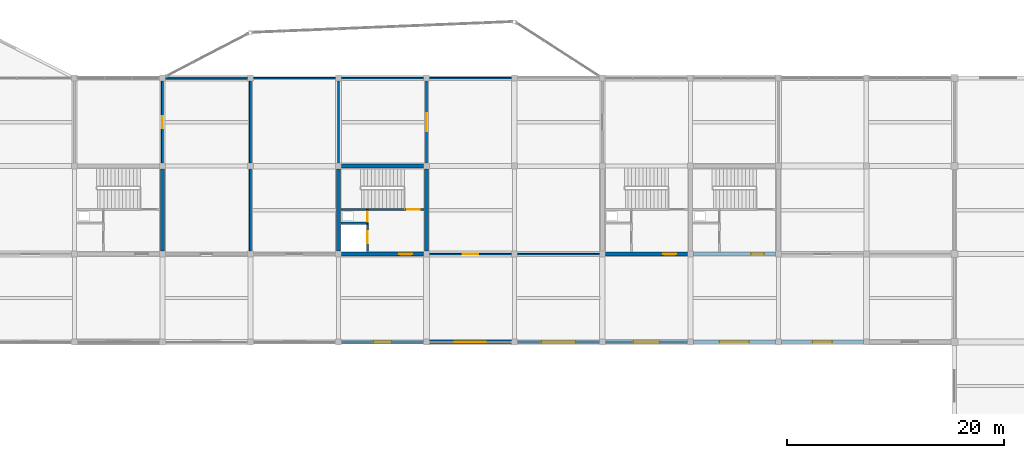
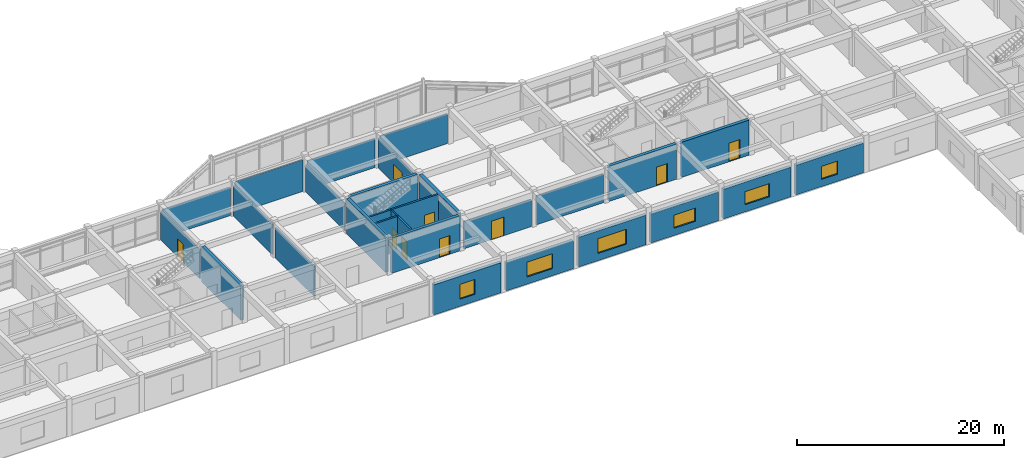
# One storey, part 29 of 42: 28 walls, 9 doors, 6 windows, 15 openings.
"""IFC4 building model written with IfcOpenShell, lengths in metres."""

from ifc_helpers import new_model, si_unit, direction, frame, frame_2d, origin, place, context, subcontext, project, spatial, rectangle, extrude, material, layer, layer_set, type_object, element, fill, save


model = new_model("IFC4")

# Units and contexts
model_context = context("Model", 3, precision=1e-05, world=origin(), true_north=direction((0.0, 1.0)))
body_context = subcontext(model_context, "Body", "Model", "MODEL_VIEW")
ifc_project = project(units=[si_unit("LENGTHUNIT", "METRE"), si_unit("AREAUNIT", "SQUARE_METRE"), si_unit("VOLUMEUNIT", "CUBIC_METRE"), si_unit("PLANEANGLEUNIT", "RADIAN"), si_unit("MASSUNIT", "GRAM", prefix="KILO")], contexts=[model_context])

# Site, building, storey
site_placement = place(None, origin())
site = spatial("IfcSite", under=ifc_project, at=site_placement, CompositionType="ELEMENT")
building_placement = place(site_placement, origin())
building = spatial("IfcBuilding", under=site, at=building_placement, Name="Vaudrelin Polytechnic", CompositionType="ELEMENT")
storey_placement = place(building_placement, frame((0.0, 0.0, 18.530029296875)))
storey = spatial("IfcBuildingStorey", under=building, at=storey_placement, Name="L04", CompositionType="ELEMENT", Elevation=18.530029296875)

# Wall, opening, window
ifc_material_1 = material(Name="Precast concrete 35 MPa with standing-seam zinc rainscreen", Category="concrete")
ifc_layer_1 = layer(ifc_material_1, 0.360107421875)
ifc_layer_set_1 = layer_set([ifc_layer_1], Name="Precast concrete 35 MPa with standing-seam zinc rainscreen")
wall_type_1 = type_object("IfcWallType", Name="WAL-EW-ZINC360", PredefinedType="STANDARD", material=ifc_layer_set_1)
wall_1_placement = place(storey_placement, frame((81.27294921875, 97.199951171875, 0.0), z_axis=(0.0, 0.0, 1.0), x_axis=(1.0, 0.0, 0.0)))
wall_1 = element("IfcWall", 1, at=wall_1_placement, inside=storey, type_object=wall_type_1, Name="Exterior wall L04 S_V5_09", PredefinedType="STANDARD", context=body_context, shape_type="SweptSolid", body=[
    extrude(rectangle(XDim=7.553955078125, YDim=0.360107421875, at=frame_2d((3.77685546875, 0.0))), origin(), (0.0, 0.0, 1.0), 3.56201171875),
])
opening_1_placement = place(wall_1_placement, frame((2.951904296875, 0.0, 0.85009765625)))
opening_1 = element("IfcOpeningElement", 2, at=opening_1_placement, cuts=wall_1, Name="Opening W-L04-S-V5-10", PredefinedType="OPENING", context=body_context, shape_type="SweptSolid", body=[
    extrude(rectangle(XDim=1.64990234375, YDim=1.75, at=frame_2d((0.824951171875, 0.875))), frame((0.0, 0.18994140625, 0.0), z_axis=(0.0, -1.0, 0.0), x_axis=(1.0, 0.0, 0.0)), (0.0, 0.0, 1.0), 0.380126953125),
])
ifc_material_2 = material(Name="Thermally broken aluminium frame with triple low-e glazing", Category="aluminium")
window_type_1 = type_object("IfcWindowType", Name="WIN-WN-18", PartitioningType="SINGLE_PANEL", PredefinedType="WINDOW", material=ifc_material_2)
window_1_placement = place(opening_1_placement, origin())
window_1 = element("IfcWindow", 3, at=window_1_placement, inside=storey, type_object=window_type_1, Name="Facade window L04-S_V5_09", OverallHeight=1.75, OverallWidth=1.64990234375, PartitioningType="SINGLE_PANEL", PredefinedType="WINDOW", context=body_context, shape_type="SweptSolid", body=[
    extrude(rectangle(XDim=1.64990234375, YDim=1.75, at=frame_2d((0.824951171875, 0.875))), frame((0.0, 0.030029296875, 0.0), z_axis=(0.0, -1.0, 0.0), x_axis=(1.0, 0.0, 0.0)), (0.0, 0.0, 1.0), 0.06005859375),
])
fill(opening_1, window_1)

wall_2_placement = place(storey_placement, frame((89.373046875, 97.199951171875, 0.0), z_axis=(0.0, 0.0, 1.0), x_axis=(1.0, 0.0, 0.0)))
wall_2 = element("IfcWall", 4, at=wall_2_placement, inside=storey, type_object=wall_type_1, Name="Exterior wall L04 S_V5_10", PredefinedType="STANDARD", context=body_context, shape_type="SweptSolid", body=[
    extrude(rectangle(XDim=7.553955078125, YDim=0.360107421875, at=frame_2d((3.77685546875, 0.0))), origin(), (0.0, 0.0, 1.0), 3.31201171875),
])
opening_2_placement = place(wall_2_placement, frame((2.35205078125, 0.0, 0.85009765625)))
opening_2 = element("IfcOpeningElement", 5, at=opening_2_placement, cuts=wall_2, Name="Opening W-L04-S-V5-11", PredefinedType="OPENING", context=body_context, shape_type="SweptSolid", body=[
    extrude(rectangle(XDim=2.85009765625, YDim=1.75, at=frame_2d((1.425048828125, 0.875))), frame((0.0, 0.18994140625, 0.0), z_axis=(0.0, -1.0, 0.0), x_axis=(1.0, 0.0, 0.0)), (0.0, 0.0, 1.0), 0.380126953125),
])
window_type_2 = type_object("IfcWindowType", Name="WIN-WN-19", PartitioningType="SINGLE_PANEL", PredefinedType="WINDOW", material=ifc_material_2)
window_2_placement = place(opening_2_placement, origin())
window_2 = element("IfcWindow", 6, at=window_2_placement, inside=storey, type_object=window_type_2, Name="Facade window L04-S_V5_10", OverallHeight=1.75, OverallWidth=2.85009765625, PartitioningType="SINGLE_PANEL", PredefinedType="WINDOW", context=body_context, shape_type="SweptSolid", body=[
    extrude(rectangle(XDim=2.85009765625, YDim=1.75, at=frame_2d((1.425048828125, 0.875))), frame((0.0, 0.030029296875, 0.0), z_axis=(0.0, -1.0, 0.0), x_axis=(1.0, 0.0, 0.0)), (0.0, 0.0, 1.0), 0.06005859375),
])
fill(opening_2, window_2)

wall_3_placement = place(storey_placement, frame((97.472900390625, 97.199951171875, 0.0), z_axis=(0.0, 0.0, 1.0), x_axis=(1.0, 0.0, 0.0)))
wall_3 = element("IfcWall", 7, at=wall_3_placement, inside=storey, type_object=wall_type_1, Name="Exterior wall L04 S_V5_11", PredefinedType="STANDARD", context=body_context, shape_type="SweptSolid", body=[
    extrude(rectangle(XDim=7.55419921875, YDim=0.360107421875, at=frame_2d((3.777099609375, 0.0))), origin(), (0.0, 0.0, 1.0), 3.511962890625),
])
opening_3_placement = place(wall_3_placement, frame((2.201904296875, 0.0, 0.85009765625)))
opening_3 = element("IfcOpeningElement", 8, at=opening_3_placement, cuts=wall_3, Name="Opening W-L04-S-V5-12", PredefinedType="OPENING", context=body_context, shape_type="SweptSolid", body=[
    extrude(rectangle(XDim=3.14990234375, YDim=1.75, at=frame_2d((1.574951171875, 0.875))), frame((0.0, 0.18994140625, 0.0), z_axis=(0.0, -1.0, 0.0), x_axis=(1.0, 0.0, 0.0)), (0.0, 0.0, 1.0), 0.380126953125),
])
window_type_3 = type_object("IfcWindowType", Name="WIN-WN-20", PartitioningType="SINGLE_PANEL", PredefinedType="WINDOW", material=ifc_material_2)
window_3_placement = place(opening_3_placement, origin())
window_3 = element("IfcWindow", 9, at=window_3_placement, inside=storey, type_object=window_type_3, Name="Facade window L04-S_V5_11", OverallHeight=1.75, OverallWidth=3.14990234375, PartitioningType="SINGLE_PANEL", PredefinedType="WINDOW", context=body_context, shape_type="SweptSolid", body=[
    extrude(rectangle(XDim=3.14990234375, YDim=1.75, at=frame_2d((1.574951171875, 0.875))), frame((0.0, 0.030029296875, 0.0), z_axis=(0.0, -1.0, 0.0), x_axis=(1.0, 0.0, 0.0)), (0.0, 0.0, 1.0), 0.06005859375),
])
fill(opening_3, window_3)

wall_4_placement = place(storey_placement, frame((105.572998046875, 97.199951171875, 0.0), z_axis=(0.0, 0.0, 1.0), x_axis=(1.0, 0.0, 0.0)))
wall_4 = element("IfcWall", 10, at=wall_4_placement, inside=storey, type_object=wall_type_1, Name="Exterior wall L04 S_V5_12", PredefinedType="STANDARD", context=body_context, shape_type="SweptSolid", body=[
    extrude(rectangle(XDim=7.553955078125, YDim=0.360107421875, at=frame_2d((3.77685546875, 0.0))), origin(), (0.0, 0.0, 1.0), 3.411865234375),
])
opening_4_placement = place(wall_4_placement, frame((2.576904296875, 0.0, 0.85009765625)))
opening_4 = element("IfcOpeningElement", 11, at=opening_4_placement, cuts=wall_4, Name="Opening W-L04-S-V5-13", PredefinedType="OPENING", context=body_context, shape_type="SweptSolid", body=[
    extrude(rectangle(XDim=2.39990234375, YDim=1.550048828125, at=frame_2d((1.199951171875, 0.77490234375))), frame((0.0, 0.18994140625, 0.0), z_axis=(0.0, -1.0, 0.0), x_axis=(1.0, 0.0, 0.0)), (0.0, 0.0, 1.0), 0.380126953125),
])
window_type_4 = type_object("IfcWindowType", Name="WIN-WN-21", PartitioningType="SINGLE_PANEL", PredefinedType="WINDOW", material=ifc_material_2)
window_4_placement = place(opening_4_placement, origin())
window_4 = element("IfcWindow", 12, at=window_4_placement, inside=storey, type_object=window_type_4, Name="Facade window L04-S_V5_12", OverallHeight=1.550048828125, OverallWidth=2.39990234375, PartitioningType="SINGLE_PANEL", PredefinedType="WINDOW", context=body_context, shape_type="SweptSolid", body=[
    extrude(rectangle(XDim=2.39990234375, YDim=1.550048828125, at=frame_2d((1.199951171875, 0.77490234375))), frame((0.0, 0.030029296875, 0.0), z_axis=(0.0, -1.0, 0.0), x_axis=(1.0, 0.0, 0.0)), (0.0, 0.0, 1.0), 0.06005859375),
])
fill(opening_4, window_4)

wall_5_placement = place(storey_placement, frame((113.673095703125, 97.199951171875, 0.0), z_axis=(0.0, 0.0, 1.0), x_axis=(1.0, 0.0, 0.0)))
wall_5 = element("IfcWall", 13, at=wall_5_placement, inside=storey, type_object=wall_type_1, Name="Exterior wall L04 S_V5_13", PredefinedType="STANDARD", context=body_context, shape_type="SweptSolid", body=[
    extrude(rectangle(XDim=7.553955078125, YDim=0.360107421875, at=frame_2d((3.77685546875, 0.0))), origin(), (0.0, 0.0, 1.0), 3.511962890625),
])
opening_5_placement = place(wall_5_placement, frame((2.427001953125, 0.0, 0.85009765625)))
opening_5 = element("IfcOpeningElement", 14, at=opening_5_placement, cuts=wall_5, Name="Opening W-L04-S-V5-14", PredefinedType="OPENING", context=body_context, shape_type="SweptSolid", body=[
    extrude(rectangle(XDim=2.699951171875, YDim=1.550048828125, at=frame_2d((1.35009765625, 0.77490234375))), frame((0.0, 0.18994140625, 0.0), z_axis=(0.0, -1.0, 0.0), x_axis=(1.0, 0.0, 0.0)), (0.0, 0.0, 1.0), 0.380126953125),
])
window_type_5 = type_object("IfcWindowType", Name="WIN-WN-22", PartitioningType="SINGLE_PANEL", PredefinedType="WINDOW", material=ifc_material_2)
window_5_placement = place(opening_5_placement, origin())
window_5 = element("IfcWindow", 15, at=window_5_placement, inside=storey, type_object=window_type_5, Name="Facade window L04-S_V5_13", OverallHeight=1.550048828125, OverallWidth=2.699951171875, PartitioningType="SINGLE_PANEL", PredefinedType="WINDOW", context=body_context, shape_type="SweptSolid", body=[
    extrude(rectangle(XDim=2.699951171875, YDim=1.550048828125, at=frame_2d((1.35009765625, 0.77490234375))), frame((0.0, 0.030029296875, 0.0), z_axis=(0.0, -1.0, 0.0), x_axis=(1.0, 0.0, 0.0)), (0.0, 0.0, 1.0), 0.06005859375),
])
fill(opening_5, window_5)

wall_6_placement = place(storey_placement, frame((121.77294921875, 97.199951171875, 0.0), z_axis=(0.0, 0.0, 1.0), x_axis=(1.0, 0.0, 0.0)))
wall_6 = element("IfcWall", 16, at=wall_6_placement, inside=storey, type_object=wall_type_1, Name="Exterior wall L04 S_V5_14", PredefinedType="STANDARD", context=body_context, shape_type="SweptSolid", body=[
    extrude(rectangle(XDim=7.553955078125, YDim=0.360107421875, at=frame_2d((3.77685546875, 0.0))), origin(), (0.0, 0.0, 1.0), 3.511962890625),
])
opening_6_placement = place(wall_6_placement, frame((2.876953125, 0.0, 0.85009765625)))
opening_6 = element("IfcOpeningElement", 17, at=opening_6_placement, cuts=wall_6, Name="Opening W-L04-S-V5-15", PredefinedType="OPENING", context=body_context, shape_type="SweptSolid", body=[
    extrude(rectangle(XDim=1.800048828125, YDim=1.550048828125, at=frame_2d((0.89990234375, 0.77490234375))), frame((0.0, 0.18994140625, 0.0), z_axis=(0.0, -1.0, 0.0), x_axis=(1.0, 0.0, 0.0)), (0.0, 0.0, 1.0), 0.380126953125),
])
window_type_6 = type_object("IfcWindowType", Name="WIN-WN-23", PartitioningType="SINGLE_PANEL", PredefinedType="WINDOW", material=ifc_material_2)
window_6_placement = place(opening_6_placement, origin())
window_6 = element("IfcWindow", 18, at=window_6_placement, inside=storey, type_object=window_type_6, Name="Facade window L04-S_V5_14", OverallHeight=1.550048828125, OverallWidth=1.800048828125, PartitioningType="SINGLE_PANEL", PredefinedType="WINDOW", context=body_context, shape_type="SweptSolid", body=[
    extrude(rectangle(XDim=1.800048828125, YDim=1.550048828125, at=frame_2d((0.89990234375, 0.77490234375))), frame((0.0, 0.030029296875, 0.0), z_axis=(0.0, -1.0, 0.0), x_axis=(1.0, 0.0, 0.0)), (0.0, 0.0, 1.0), 0.06005859375),
])
fill(opening_6, window_6)

# Walls
ifc_material_3 = material(Name="Acoustic double-stud gypsum & mineral-wool partition", Category="gypsum")
ifc_layer_2 = layer(ifc_material_3, 0.179931640625)
ifc_layer_set_2 = layer_set([ifc_layer_2], Name="Acoustic double-stud gypsum & mineral-wool partition")
wall_type_2 = type_object("IfcWallType", Name="WAL-PW-AC180", PredefinedType="PARTITIONING", material=ifc_layer_set_2)
wall_7_placement = place(storey_placement, frame((72.89990234375, 105.572998046875, 0.0), z_axis=(0.0, 0.0, 1.0), x_axis=(0.0, 1.0, 0.0)))
element("IfcWall", 19, at=wall_7_placement, inside=storey, type_object=wall_type_2, Name="Partition L04-003 E", PredefinedType="PARTITIONING", context=body_context, shape_type="SweptSolid", body=[
    extrude(rectangle(XDim=7.553955078125, YDim=0.179931640625, at=frame_2d((3.77685546875, 0.0))), origin(), (0.0, 0.0, 1.0), 3.511962890625),
])
wall_8_placement = place(storey_placement, frame((72.89990234375, 113.673095703125, 0.0), z_axis=(0.0, 0.0, 1.0), x_axis=(0.0, 1.0, 0.0)))
element("IfcWall", 20, at=wall_8_placement, inside=storey, type_object=wall_type_2, Name="Partition L04-003 E", PredefinedType="PARTITIONING", context=body_context, shape_type="SweptSolid", body=[
    extrude(rectangle(XDim=7.553955078125, YDim=0.179931640625, at=frame_2d((3.77685546875, 0.0))), origin(), (0.0, 0.0, 1.0), 3.56201171875),
])

# Wall, opening, door
wall_9_placement = place(storey_placement, frame((64.800048828125, 113.673095703125, 0.0), z_axis=(0.0, 0.0, 1.0), x_axis=(0.0, 1.0, 0.0)))
wall_9 = element("IfcWall", 21, at=wall_9_placement, inside=storey, type_object=wall_type_2, Name="Partition L04-003 W", PredefinedType="PARTITIONING", context=body_context, shape_type="SweptSolid", body=[
    extrude(rectangle(XDim=7.553955078125, YDim=0.179931640625, at=frame_2d((3.77685546875, 0.0))), origin(), (0.0, 0.0, 1.0), 3.411865234375),
])
opening_7_placement = place(wall_9_placement, frame((3.237060546875, 0.0, 0.0)))
opening_7 = element("IfcOpeningElement", 22, at=opening_7_placement, cuts=wall_9, Name="Opening D-L04-536", PredefinedType="OPENING", context=body_context, shape_type="SweptSolid", body=[
    extrude(rectangle(XDim=1.080078125, YDim=2.14990234375, at=frame_2d((0.5400390625, 1.074951171875))), frame((0.0, 0.10009765625, 0.0), z_axis=(0.0, -1.0, 0.0), x_axis=(1.0, 0.0, 0.0)), (0.0, 0.0, 1.0), 0.199951171875),
])
ifc_material_4 = material(Name="Solid-core birch veneer acoustic leaf", Category="wood")
door_type_1 = type_object("IfcDoorType", Name="DOR-ID-SEM2", OperationType="NOTDEFINED", PredefinedType="DOOR", material=ifc_material_4)
door_1_placement = place(opening_7_placement, origin())
door_1 = element("IfcDoor", 23, at=door_1_placement, inside=storey, type_object=door_type_1, Name="Acoustic Scale-Model Alcove door L04-022", OperationType="SINGLE_SWING_LEFT", OverallHeight=2.14990234375, OverallWidth=1.080078125, PredefinedType="DOOR", context=body_context, shape_type="SweptSolid", body=[
    extrude(rectangle(XDim=1.080078125, YDim=2.14990234375, at=frame_2d((0.5400390625, 1.074951171875))), frame((0.0, 0.02490234375, 0.0), z_axis=(0.0, -1.0, 0.0), x_axis=(1.0, 0.0, 0.0)), (0.0, 0.0, 1.0), 0.050048828125),
])
fill(opening_7, door_1)

# Wall
wall_10_placement = place(storey_placement, frame((65.072998046875, 121.5, 0.0), z_axis=(0.0, 0.0, 1.0), x_axis=(1.0, 0.0, 0.0)))
element("IfcWall", 24, at=wall_10_placement, inside=storey, type_object=wall_type_2, Name="Partition L04-003 N", PredefinedType="PARTITIONING", context=body_context, shape_type="SweptSolid", body=[
    extrude(rectangle(XDim=7.553955078125, YDim=0.179931640625, at=frame_2d((3.77685546875, 0.0))), origin(), (0.0, 0.0, 1.0), 3.31201171875),
])

# Wall, opening, door
ifc_material_5 = material(Name="Fire-rated steel-stud gypsum compartment wall", Category="steel")
ifc_layer_3 = layer(ifc_material_5, 0.14990234375)
ifc_layer_set_3 = layer_set([ifc_layer_3], Name="Fire-rated steel-stud gypsum compartment wall")
wall_type_3 = type_object("IfcWallType", Name="WAL-PW-FIRE60", PredefinedType="PARTITIONING", material=ifc_layer_set_3)
wall_11_placement = place(storey_placement, frame((83.679931640625, 108.14990234375, 0.0), z_axis=(0.0, 0.0, 1.0), x_axis=(0.0, 1.0, 0.0)))
wall_11 = element("IfcWall", 25, at=wall_11_placement, inside=storey, type_object=wall_type_3, Name="Core C2 riser enclosure wall L04", PredefinedType="PARTITIONING", context=body_context, shape_type="SweptSolid", body=[
    extrude(rectangle(XDim=1.260009765625, YDim=0.14990234375, at=frame_2d((0.6298828125, 0.0))), origin(), (0.0, 0.0, 1.0), 4.161865234375),
])
opening_8_placement = place(wall_11_placement, frame((0.139892578125, 0.0, 0.0)))
opening_8 = element("IfcOpeningElement", 26, at=opening_8_placement, cuts=wall_11, Name="Opening D-L04-041", PredefinedType="OPENING", context=body_context, shape_type="SweptSolid", body=[
    extrude(rectangle(XDim=0.89990234375, YDim=2.14990234375, at=frame_2d((0.449951171875, 1.074951171875))), frame((0.0, 0.0849609375, 0.0), z_axis=(0.0, -1.0, 0.0), x_axis=(1.0, 0.0, 0.0)), (0.0, 0.0, 1.0), 0.169921875),
])
ifc_material_6 = material(Name="Pressed galvanised steel acoustic leaf", Category="steel")
door_type_2 = type_object("IfcDoorType", Name="DOR-ID-RSR1", OperationType="NOTDEFINED", PredefinedType="DOOR", material=ifc_material_6)
door_2_placement = place(opening_8_placement, origin())
door_2 = element("IfcDoor", 27, at=door_2_placement, inside=storey, type_object=door_type_2, Name="Core C2 riser access door L04", OperationType="SINGLE_SWING_RIGHT", OverallHeight=2.14990234375, OverallWidth=0.89990234375, PredefinedType="DOOR", context=body_context, shape_type="SweptSolid", body=[
    extrude(rectangle(XDim=0.89990234375, YDim=2.14990234375, at=frame_2d((0.449951171875, 1.074951171875))), frame((0.0, 0.02490234375, 0.0), z_axis=(0.0, -1.0, 0.0), x_axis=(1.0, 0.0, 0.0)), (0.0, 0.0, 1.0), 0.050048828125),
])
fill(opening_8, door_2)

# Walls
ifc_material_7 = material(Name="Pin-up plywood & acoustic gypsum studio partition", Category="wood")
ifc_layer_4 = layer(ifc_material_7, 0.14990234375)
ifc_layer_set_4 = layer_set([ifc_layer_4], Name="Pin-up plywood & acoustic gypsum studio partition")
wall_type_4 = type_object("IfcWallType", Name="WAL-PW-STU150", PredefinedType="PARTITIONING", material=ifc_layer_set_4)
wall_12_placement = place(storey_placement, frame((81.0, 113.673095703125, 0.0), z_axis=(0.0, 0.0, 1.0), x_axis=(0.0, 1.0, 0.0)))
element("IfcWall", 28, at=wall_12_placement, inside=storey, type_object=wall_type_4, Name="Partition L04-004 E", PredefinedType="PARTITIONING", context=body_context, shape_type="SweptSolid", body=[
    extrude(rectangle(XDim=7.553955078125, YDim=0.14990234375, at=frame_2d((3.77685546875, 0.0))), origin(), (0.0, 0.0, 1.0), 3.2119140625),
])
wall_13_placement = place(storey_placement, frame((73.173095703125, 121.5, 0.0), z_axis=(0.0, 0.0, 1.0), x_axis=(1.0, 0.0, 0.0)))
element("IfcWall", 29, at=wall_13_placement, inside=storey, type_object=wall_type_4, Name="Partition L04-004 N", PredefinedType="PARTITIONING", context=body_context, shape_type="SweptSolid", body=[
    extrude(rectangle(XDim=7.553955078125, YDim=0.14990234375, at=frame_2d((3.77685546875, 0.0))), origin(), (0.0, 0.0, 1.0), 3.7470703125),
])

# Wall, opening, door
wall_14_placement = place(storey_placement, frame((89.373046875, 105.300048828125, 0.0), z_axis=(0.0, 0.0, 1.0), x_axis=(1.0, 0.0, 0.0)))
wall_14 = element("IfcWall", 30, at=wall_14_placement, inside=storey, type_object=wall_type_4, Name="Partition L04-005 S", PredefinedType="PARTITIONING", context=body_context, shape_type="SweptSolid", body=[
    extrude(rectangle(XDim=7.553955078125, YDim=0.14990234375, at=frame_2d((3.77685546875, 0.0))), origin(), (0.0, 0.0, 1.0), 3.2119140625),
])
opening_9_placement = place(wall_14_placement, frame((3.076904296875, 0.0, 0.0)))
opening_9 = element("IfcOpeningElement", 31, at=opening_9_placement, cuts=wall_14, Name="Opening D-L04-521", PredefinedType="OPENING", context=body_context, shape_type="SweptSolid", body=[
    extrude(rectangle(XDim=1.39990234375, YDim=2.199951171875, at=frame_2d((0.699951171875, 1.10009765625))), frame((0.0, 0.0849609375, 0.0), z_axis=(0.0, -1.0, 0.0), x_axis=(1.0, 0.0, 0.0)), (0.0, 0.0, 1.0), 0.169921875),
])
door_type_3 = type_object("IfcDoorType", Name="DOR-ID-STU1", OperationType="NOTDEFINED", PredefinedType="DOOR", material=ifc_material_4)
door_3_placement = place(opening_9_placement, origin())
door_3 = element("IfcDoor", 32, at=door_3_placement, inside=storey, type_object=door_type_3, Name="Architectural Design Studio East door L04-005", OperationType="DOUBLE_SWING_LEFT", OverallHeight=2.199951171875, OverallWidth=1.39990234375, PredefinedType="DOOR", context=body_context, shape_type="SweptSolid", body=[
    extrude(rectangle(XDim=1.39990234375, YDim=2.199951171875, at=frame_2d((0.699951171875, 1.10009765625))), frame((0.0, 0.02490234375, 0.0), z_axis=(0.0, -1.0, 0.0), x_axis=(1.0, 0.0, 0.0)), (0.0, 0.0, 1.0), 0.050048828125),
])
fill(opening_9, door_3)

# Wall
wall_15_placement = place(storey_placement, frame((97.472900390625, 105.300048828125, 0.0), z_axis=(0.0, 0.0, 1.0), x_axis=(1.0, 0.0, 0.0)))
element("IfcWall", 33, at=wall_15_placement, inside=storey, type_object=wall_type_4, Name="Partition L04-005 S", PredefinedType="PARTITIONING", context=body_context, shape_type="SweptSolid", body=[
    extrude(rectangle(XDim=7.55419921875, YDim=0.14990234375, at=frame_2d((3.777099609375, 0.0))), origin(), (0.0, 0.0, 1.0), 3.411865234375),
])

# Wall, opening, door
wall_16_placement = place(storey_placement, frame((89.10009765625, 113.673095703125, 0.0), z_axis=(0.0, 0.0, 1.0), x_axis=(0.0, 1.0, 0.0)))
wall_16 = element("IfcWall", 34, at=wall_16_placement, inside=storey, type_object=wall_type_4, Name="Partition L04-005 W", PredefinedType="PARTITIONING", context=body_context, shape_type="SweptSolid", body=[
    extrude(rectangle(XDim=7.553955078125, YDim=0.14990234375, at=frame_2d((3.77685546875, 0.0))), origin(), (0.0, 0.0, 1.0), 3.511962890625),
])
opening_10_placement = place(wall_16_placement, frame((2.95703125, 0.0, 0.0)))
opening_10 = element("IfcOpeningElement", 35, at=opening_10_placement, cuts=wall_16, Name="Opening D-L04-537", PredefinedType="OPENING", context=body_context, shape_type="SweptSolid", body=[
    extrude(rectangle(XDim=1.639892578125, YDim=2.25, at=frame_2d((0.81982421875, 1.125))), frame((0.0, 0.0849609375, 0.0), z_axis=(0.0, -1.0, 0.0), x_axis=(1.0, 0.0, 0.0)), (0.0, 0.0, 1.0), 0.169921875),
])
door_type_4 = type_object("IfcDoorType", Name="DOR-ID-STU2", OperationType="NOTDEFINED", PredefinedType="DOOR", material=ifc_material_4)
door_4_placement = place(opening_10_placement, origin())
door_4 = element("IfcDoor", 36, at=door_4_placement, inside=storey, type_object=door_type_4, Name="Thermal Imaging Studio Alcove door L04-023", OperationType="DOUBLE_SWING_LEFT", OverallHeight=2.25, OverallWidth=1.639892578125, PredefinedType="DOOR", context=body_context, shape_type="SweptSolid", body=[
    extrude(rectangle(XDim=1.639892578125, YDim=2.25, at=frame_2d((0.81982421875, 1.125))), frame((0.0, 0.02490234375, 0.0), z_axis=(0.0, -1.0, 0.0), x_axis=(1.0, 0.0, 0.0)), (0.0, 0.0, 1.0), 0.050048828125),
])
fill(opening_10, door_4)

# Walls
wall_17_placement = place(storey_placement, frame((89.373046875, 121.5, 0.0), z_axis=(0.0, 0.0, 1.0), x_axis=(1.0, 0.0, 0.0)))
element("IfcWall", 37, at=wall_17_placement, inside=storey, type_object=wall_type_4, Name="Partition L04-005 N", PredefinedType="PARTITIONING", context=body_context, shape_type="SweptSolid", body=[
    extrude(rectangle(XDim=7.553955078125, YDim=0.14990234375, at=frame_2d((3.77685546875, 0.0))), origin(), (0.0, 0.0, 1.0), 3.511962890625),
])
wall_18_placement = place(storey_placement, frame((81.27294921875, 121.5, 0.0), z_axis=(0.0, 0.0, 1.0), x_axis=(1.0, 0.0, 0.0)))
element("IfcWall", 38, at=wall_18_placement, inside=storey, type_object=wall_type_4, Name="Partition L04-023 N", PredefinedType="PARTITIONING", context=body_context, shape_type="SweptSolid", body=[
    extrude(rectangle(XDim=7.553955078125, YDim=0.14990234375, at=frame_2d((3.77685546875, 0.0))), origin(), (0.0, 0.0, 1.0), 3.411865234375),
])

# Wall, opening, door
ifc_material_8 = material(Name="Concrete 40 MPa", Category="concrete")
ifc_layer_5 = layer(ifc_material_8, 0.199951171875)
ifc_layer_set_5 = layer_set([ifc_layer_5], Name="Concrete 40 MPa")
wall_type_5 = type_object("IfcWallType", Name="WAL-SW-CORE200", PredefinedType="SHEAR", material=ifc_layer_set_5)
wall_19_placement = place(storey_placement, frame((81.219970703125, 109.409912109375, 0.0), z_axis=(0.0, 0.0, 1.0), x_axis=(1.0, 0.0, 0.0)))
wall_19 = element("IfcWall", 39, at=wall_19_placement, inside=storey, type_object=wall_type_5, Name="Core C2 stair enclosure wall L04", PredefinedType="SHEAR", context=body_context, shape_type="SweptSolid", body=[
    extrude(rectangle(XDim=7.659912109375, YDim=0.199951171875, at=frame_2d((3.830078125, 0.0))), origin(), (0.0, 0.0, 1.0), 4.161865234375),
])
opening_11_placement = place(wall_19_placement, frame((6.110107421875, 0.0, 0.0)))
opening_11 = element("IfcOpeningElement", 40, at=opening_11_placement, cuts=wall_19, Name="Opening D-L04-040", PredefinedType="OPENING", context=body_context, shape_type="SweptSolid", body=[
    extrude(rectangle(XDim=1.14990234375, YDim=2.199951171875, at=frame_2d((0.574951171875, 1.10009765625))), frame((0.0, 0.10986328125, 0.0), z_axis=(0.0, -1.0, 0.0), x_axis=(1.0, 0.0, 0.0)), (0.0, 0.0, 1.0), 0.219970703125),
])
door_type_5 = type_object("IfcDoorType", Name="DOR-ID-ST1", OperationType="NOTDEFINED", PredefinedType="DOOR", material=ifc_material_6)
door_5_placement = place(opening_11_placement, origin())
door_5 = element("IfcDoor", 41, at=door_5_placement, inside=storey, type_object=door_type_5, Name="Core C2 exit stair door L04", OperationType="SINGLE_SWING_LEFT", OverallHeight=2.199951171875, OverallWidth=1.14990234375, PredefinedType="DOOR", context=body_context, shape_type="SweptSolid", body=[
    extrude(rectangle(XDim=1.14990234375, YDim=2.199951171875, at=frame_2d((0.574951171875, 1.10009765625))), frame((0.0, 0.02490234375, 0.0), z_axis=(0.0, -1.0, 0.0), x_axis=(1.0, 0.0, 0.0)), (0.0, 0.0, 1.0), 0.050048828125),
])
fill(opening_11, door_5)

wall_20_placement = place(storey_placement, frame((83.679931640625, 105.550048828125, 0.0), z_axis=(0.0, 0.0, 1.0), x_axis=(0.0, 1.0, 0.0)))
wall_20 = element("IfcWall", 42, at=wall_20_placement, inside=storey, type_object=wall_type_5, Name="Lift LF-02 shaft front wall L04", PredefinedType="SHEAR", context=body_context, shape_type="SweptSolid", body=[
    extrude(rectangle(XDim=2.599853515625, YDim=0.199951171875, at=frame_2d((1.2998046875, 0.0))), origin(), (0.0, 0.0, 1.0), 4.161865234375),
])
opening_12_placement = place(wall_20_placement, frame((0.75, 0.0, 0.0)))
opening_12 = element("IfcOpeningElement", 43, at=opening_12_placement, cuts=wall_20, Name="Opening LD-LF-02-L04", PredefinedType="OPENING", context=body_context, shape_type="SweptSolid", body=[
    extrude(rectangle(XDim=1.10009765625, YDim=2.199951171875, at=frame_2d((0.550048828125, 1.10009765625))), frame((0.0, 0.10986328125, 0.0), z_axis=(0.0, -1.0, 0.0), x_axis=(1.0, 0.0, 0.0)), (0.0, 0.0, 1.0), 0.219970703125),
])
ifc_material_9 = material(Name="Brushed stainless steel AISI 304", Category="steel")
door_type_6 = type_object("IfcDoorType", Name="DOR-LD-PAX", OperationType="SLIDING_TO_LEFT", PredefinedType="DOOR", material=ifc_material_9)
door_6_placement = place(opening_12_placement, origin())
door_6 = element("IfcDoor", 44, at=door_6_placement, inside=storey, type_object=door_type_6, Name="Lift LF-02 landing door L04", OperationType="SLIDING_TO_LEFT", OverallHeight=2.199951171875, OverallWidth=1.10009765625, PredefinedType="DOOR", context=body_context, shape_type="SweptSolid", body=[
    extrude(rectangle(XDim=1.10009765625, YDim=2.199951171875, at=frame_2d((0.550048828125, 1.10009765625))), frame((0.0, 0.02490234375, 0.0), z_axis=(0.0, -1.0, 0.0), x_axis=(1.0, 0.0, 0.0)), (0.0, 0.0, 1.0), 0.050048828125),
])
fill(opening_12, door_6)

# Walls
wall_21_placement = place(storey_placement, frame((81.219970703125, 108.14990234375, 0.0), z_axis=(0.0, 0.0, 1.0), x_axis=(1.0, 0.0, 0.0)))
element("IfcWall", 45, at=wall_21_placement, inside=storey, type_object=wall_type_5, Name="Lift LF-02 shaft north wall L04", PredefinedType="SHEAR", context=body_context, shape_type="SweptSolid", body=[
    extrude(rectangle(XDim=2.56005859375, YDim=0.199951171875, at=frame_2d((1.280029296875, 0.0))), origin(), (0.0, 0.0, 1.0), 4.161865234375),
])
ifc_material_10 = material(Name="Concrete 50 MPa", Category="concrete")
ifc_layer_6 = layer(ifc_material_10, 0.35009765625)
ifc_layer_set_6 = layer_set([ifc_layer_6], Name="Concrete 50 MPa")
wall_type_6 = type_object("IfcWallType", Name="WAL-SW-CORE350", PredefinedType="SHEAR", material=ifc_layer_set_6)
for number, where, z_axis, x_axis, name in (
    (46, (81.27294921875, 113.39990234375, 0.0), (0.0, 0.0, 1.0), (1.0, 0.0, 0.0), "Core C2 N shear wall L04"),
    (47, (81.0, 105.572998046875, 0.0), (0.0, 0.0, 1.0), (0.0, 1.0, 0.0), "Core C2 W shear wall L04"),
    (48, (89.10009765625, 105.572998046875, 0.0), (0.0, 0.0, 1.0), (0.0, 1.0, 0.0), "Core C2 E shear wall L04"),
):
    element("IfcWall", number, at=place(storey_placement, frame(where, z_axis=z_axis, x_axis=x_axis)), inside=storey, type_object=wall_type_6, Name=name, PredefinedType="SHEAR", context=body_context, shape_type="SweptSolid", body=[
        extrude(rectangle(XDim=7.553955078125, YDim=0.35009765625, at=frame_2d((3.77685546875, 0.0))), origin(), (0.0, 0.0, 1.0), 4.161865234375),
    ])

# Wall, opening, door
wall_22_placement = place(storey_placement, frame((81.27294921875, 105.300048828125, 0.0), z_axis=(0.0, 0.0, 1.0), x_axis=(1.0, 0.0, 0.0)))
wall_22 = element("IfcWall", 49, at=wall_22_placement, inside=storey, type_object=wall_type_6, Name="Core C2 S shear wall L04", PredefinedType="SHEAR", context=body_context, shape_type="SweptSolid", body=[
    extrude(rectangle(XDim=7.553955078125, YDim=0.35009765625, at=frame_2d((3.77685546875, 0.0))), origin(), (0.0, 0.0, 1.0), 4.161865234375),
])
opening_13_placement = place(wall_22_placement, frame((5.303955078125, 0.0, 0.0)))
opening_13 = element("IfcOpeningElement", 50, at=opening_13_placement, cuts=wall_22, Name="Opening D-L04-039", PredefinedType="OPENING", context=body_context, shape_type="SweptSolid", body=[
    extrude(rectangle(XDim=1.199951171875, YDim=2.199951171875, at=frame_2d((0.60009765625, 1.10009765625))), frame((0.0, 0.18505859375, 0.0), z_axis=(0.0, -1.0, 0.0), x_axis=(1.0, 0.0, 0.0)), (0.0, 0.0, 1.0), 0.3701171875),
])
door_type_7 = type_object("IfcDoorType", Name="DOR-ID-LB1", OperationType="NOTDEFINED", PredefinedType="DOOR", material=ifc_material_6)
door_7_placement = place(opening_13_placement, origin())
door_7 = element("IfcDoor", 51, at=door_7_placement, inside=storey, type_object=door_type_7, Name="Core C2 lobby fire door L04", OperationType="SINGLE_SWING_LEFT", OverallHeight=2.199951171875, OverallWidth=1.199951171875, PredefinedType="DOOR", context=body_context, shape_type="SweptSolid", body=[
    extrude(rectangle(XDim=1.199951171875, YDim=2.199951171875, at=frame_2d((0.60009765625, 1.10009765625))), frame((0.0, 0.02490234375, 0.0), z_axis=(0.0, -1.0, 0.0), x_axis=(1.0, 0.0, 0.0)), (0.0, 0.0, 1.0), 0.050048828125),
])
fill(opening_13, door_7)

# Wall
wall_23_placement = place(storey_placement, frame((64.800048828125, 105.572998046875, 0.0), z_axis=(0.0, 0.0, 1.0), x_axis=(0.0, 1.0, 0.0)))
element("IfcWall", 52, at=wall_23_placement, inside=storey, type_object=wall_type_6, Name="Core C9 E shear wall L04", PredefinedType="SHEAR", context=body_context, shape_type="SweptSolid", body=[
    extrude(rectangle(XDim=7.553955078125, YDim=0.35009765625, at=frame_2d((3.77685546875, 0.0))), origin(), (0.0, 0.0, 1.0), 4.161865234375),
])

# Wall, opening, door
wall_24_placement = place(storey_placement, frame((113.673095703125, 105.300048828125, 0.0), z_axis=(0.0, 0.0, 1.0), x_axis=(1.0, 0.0, 0.0)))
wall_24 = element("IfcWall", 53, at=wall_24_placement, inside=storey, type_object=wall_type_6, Name="Core C10 S shear wall L04", PredefinedType="SHEAR", context=body_context, shape_type="SweptSolid", body=[
    extrude(rectangle(XDim=7.553955078125, YDim=0.35009765625, at=frame_2d((3.77685546875, 0.0))), origin(), (0.0, 0.0, 1.0), 4.161865234375),
])
opening_14_placement = place(wall_24_placement, frame((5.303955078125, 0.0, 0.0)))
opening_14 = element("IfcOpeningElement", 54, at=opening_14_placement, cuts=wall_24, Name="Opening D-L04-224", PredefinedType="OPENING", context=body_context, shape_type="SweptSolid", body=[
    extrude(rectangle(XDim=1.199951171875, YDim=2.199951171875, at=frame_2d((0.60009765625, 1.10009765625))), frame((0.0, 0.18505859375, 0.0), z_axis=(0.0, -1.0, 0.0), x_axis=(1.0, 0.0, 0.0)), (0.0, 0.0, 1.0), 0.3701171875),
])
door_8_placement = place(opening_14_placement, origin())
door_8 = element("IfcDoor", 55, at=door_8_placement, inside=storey, type_object=door_type_7, Name="Core C10 lobby fire door L04", OperationType="SINGLE_SWING_LEFT", OverallHeight=2.199951171875, OverallWidth=1.199951171875, PredefinedType="DOOR", context=body_context, shape_type="SweptSolid", body=[
    extrude(rectangle(XDim=1.199951171875, YDim=2.199951171875, at=frame_2d((0.60009765625, 1.10009765625))), frame((0.0, 0.02490234375, 0.0), z_axis=(0.0, -1.0, 0.0), x_axis=(1.0, 0.0, 0.0)), (0.0, 0.0, 1.0), 0.050048828125),
])
fill(opening_14, door_8)

wall_25_placement = place(storey_placement, frame((105.572998046875, 105.300048828125, 0.0), z_axis=(0.0, 0.0, 1.0), x_axis=(1.0, 0.0, 0.0)))
wall_25 = element("IfcWall", 56, at=wall_25_placement, inside=storey, type_object=wall_type_6, Name="Core C11 S shear wall L04", PredefinedType="SHEAR", context=body_context, shape_type="SweptSolid", body=[
    extrude(rectangle(XDim=7.553955078125, YDim=0.35009765625, at=frame_2d((3.77685546875, 0.0))), origin(), (0.0, 0.0, 1.0), 4.161865234375),
])
opening_15_placement = place(wall_25_placement, frame((5.303955078125, 0.0, 0.0)))
opening_15 = element("IfcOpeningElement", 57, at=opening_15_placement, cuts=wall_25, Name="Opening D-L04-253", PredefinedType="OPENING", context=body_context, shape_type="SweptSolid", body=[
    extrude(rectangle(XDim=1.199951171875, YDim=2.199951171875, at=frame_2d((0.60009765625, 1.10009765625))), frame((0.0, 0.18505859375, 0.0), z_axis=(0.0, -1.0, 0.0), x_axis=(1.0, 0.0, 0.0)), (0.0, 0.0, 1.0), 0.3701171875),
])
door_9_placement = place(opening_15_placement, origin())
door_9 = element("IfcDoor", 58, at=door_9_placement, inside=storey, type_object=door_type_7, Name="Core C11 lobby fire door L04", OperationType="SINGLE_SWING_RIGHT", OverallHeight=2.199951171875, OverallWidth=1.199951171875, PredefinedType="DOOR", context=body_context, shape_type="SweptSolid", body=[
    extrude(rectangle(XDim=1.199951171875, YDim=2.199951171875, at=frame_2d((0.60009765625, 1.10009765625))), frame((0.0, 0.02490234375, 0.0), z_axis=(0.0, -1.0, 0.0), x_axis=(1.0, 0.0, 0.0)), (0.0, 0.0, 1.0), 0.050048828125),
])
fill(opening_15, door_9)

save(model, "model.ifc")
